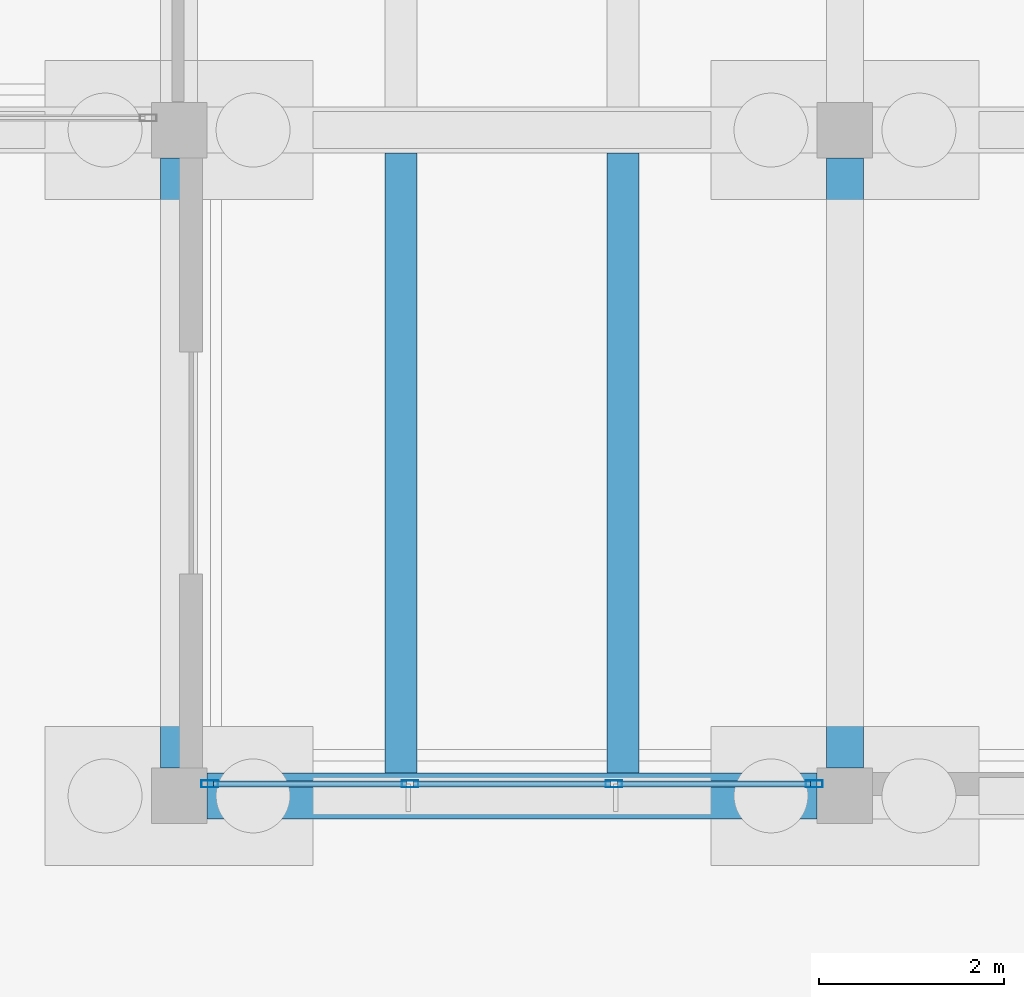
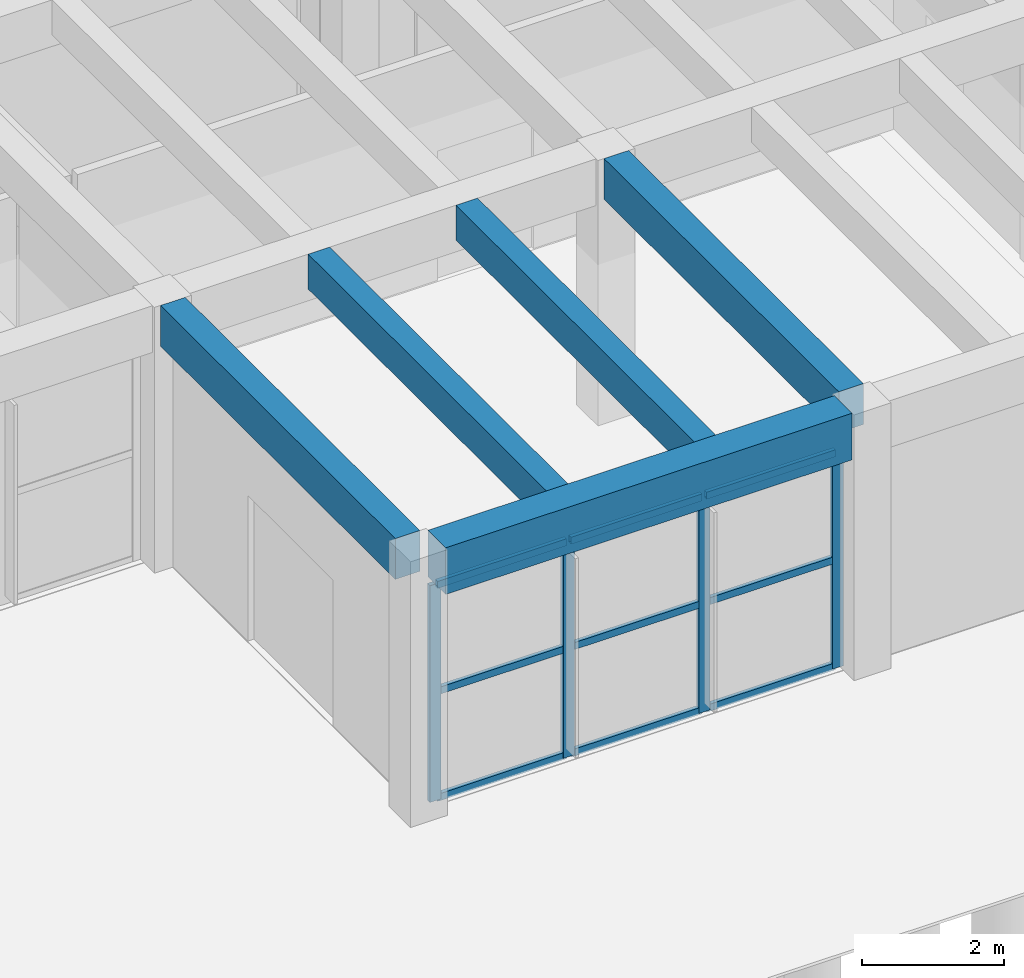
# One storey, part 98 of 155: 13 members, 5 beams, 1 element without a shape of its own.
"""IFC4 building model written with IfcOpenShell, lengths in metres."""

from ifc_helpers import new_model, si_unit, direction, frame, origin, origin_2d, place, context, subcontext, project, spatial, rectangle, hollow_rectangle, extrude, material, material_profile, profile_set, type_object, element, aggregate, save


model = new_model("IFC4")

# Units and contexts
model_context = context("Model", 3, precision=1e-05, world=origin(), true_north=direction((0.0, 1.0)))
body_context = subcontext(model_context, "Body", "Model", "MODEL_VIEW")
ifc_project = project(units=[si_unit("LENGTHUNIT", "METRE"), si_unit("AREAUNIT", "SQUARE_METRE"), si_unit("VOLUMEUNIT", "CUBIC_METRE"), si_unit("PLANEANGLEUNIT", "RADIAN"), si_unit("MASSUNIT", "GRAM", prefix="KILO")], contexts=[model_context])

# Site, building, storey
site_placement = place(None, origin())
site = spatial("IfcSite", under=ifc_project, at=site_placement, CompositionType="ELEMENT")
building_placement = place(site_placement, origin())
building = spatial("IfcBuilding", under=site, at=building_placement, Name="Bramvelor Terrace Health Centre", CompositionType="ELEMENT")
storey_placement = place(building_placement, origin())
storey = spatial("IfcBuildingStorey", under=building, at=storey_placement, Name="L01", CompositionType="ELEMENT", Elevation=0.0)

# Beams
ifc_material_1 = material(Name="Concrete C40/50", Category="concrete")
ifc_material_profile_1 = material_profile(ifc_material_1, rectangle(XDim=0.39990234375, YDim=0.699951171875, at=origin_2d()), Name="RC 400x700")
ifc_profile_set_1 = profile_set([ifc_material_profile_1], Name="Concrete C40/50")
beam_type_1 = type_object("IfcBeamType", Name="BM-RC-G700", PredefinedType="BEAM", material=ifc_profile_set_1)
for number, where, z_axis, x_axis, name in (
    (1, (151.199951171875, 43.5, 4.2099609375), (0.0, 1.0, 0.0), (-1.0, 0.0, 0.0), "L01 Floor Girder"),
    (2, (158.39990234375, 43.5, 4.2099609375), (0.0, 1.0, 0.0), (-1.0, 0.0, 0.0), "L01 Floor Girder"),
):
    element("IfcBeam", number, at=place(storey_placement, frame(where, z_axis=z_axis, x_axis=x_axis)), inside=storey, type_object=beam_type_1, Name=name, PredefinedType="BEAM", context=body_context, shape_type="SweptSolid", body=[
        extrude(rectangle(XDim=0.39990234375, YDim=0.699951171875, at=origin_2d()), origin(), (0.0, 0.0, 1.0), 6.60009765625),
    ])
ifc_material_2 = material(Name="Concrete C40/50", Category="concrete")
ifc_material_profile_2 = material_profile(ifc_material_2, rectangle(XDim=0.5, YDim=0.800048828125, at=origin_2d()), Name="RC 500x800")
ifc_profile_set_2 = profile_set([ifc_material_profile_2], Name="Concrete C40/50")
beam_type_2 = type_object("IfcBeamType", Name="BM-RC-G800", PredefinedType="BEAM", material=ifc_profile_set_2)
beam_placement = place(storey_placement, frame((151.5, 43.199951171875, 4.159912109375), z_axis=(1.0, 0.0, 0.0), x_axis=(0.0, 1.0, 0.0)))
element("IfcBeam", 3, at=beam_placement, inside=storey, type_object=beam_type_2, Name="L01 Floor Girder", PredefinedType="BEAM", context=body_context, shape_type="SweptSolid", body=[
    extrude(rectangle(XDim=0.5, YDim=0.800048828125, at=origin_2d()), origin(), (0.0, 0.0, 1.0), 6.60009765625),
])
ifc_material_3 = material(Name="Concrete C40/50", Category="concrete")
ifc_material_profile_3 = material_profile(ifc_material_3, rectangle(XDim=0.35009765625, YDim=0.60009765625, at=origin_2d()), Name="RC 350x600")
ifc_profile_set_3 = profile_set([ifc_material_profile_3], Name="Concrete C40/50")
beam_type_3 = type_object("IfcBeamType", Name="BM-RC-J600", PredefinedType="JOIST", material=ifc_profile_set_3)
for number, where, z_axis, x_axis, name in (
    (4, (153.60009765625, 43.449951171875, 4.260009765625), (0.0, 1.0, 0.0), (-1.0, 0.0, 0.0), "L01 Secondary Floor Joist"),
    (5, (156.0, 43.449951171875, 4.260009765625), (0.0, 1.0, 0.0), (-1.0, 0.0, 0.0), "L01 Secondary Floor Joist"),
):
    element("IfcBeam", number, at=place(storey_placement, frame(where, z_axis=z_axis, x_axis=x_axis)), inside=storey, type_object=beam_type_3, Name=name, PredefinedType="JOIST", context=body_context, shape_type="SweptSolid", body=[
        extrude(rectangle(XDim=0.35009765625, YDim=0.60009765625, at=origin_2d()), origin(), (0.0, 0.0, 1.0), 6.699951171875),
    ])

# Curtain wall, members
ifc_material_4 = material(Name="Anodized aluminium and double low-E glass", Category="aluminium")
curtain_wall_type = type_object("IfcCurtainWallType", Name="CW-SYS-02", PredefinedType="NOTDEFINED", material=ifc_material_4)
curtain_wall_placement = place(storey_placement, origin())
curtain_wall = element("IfcCurtainWall", 6, at=curtain_wall_placement, inside=storey, type_object=curtain_wall_type, Name="L01 Unitized Curtain Wall 41", PredefinedType="NOTDEFINED")
ifc_material_5 = material(Name="Anodized aluminium 6063-T6", Category="aluminium")
ifc_material_profile_4 = material_profile(ifc_material_5, hollow_rectangle(XDim=0.074951171875, YDim=0.179931640625, WallThickness=0.00341796875, at=origin_2d()), Name="ALU-MUL 75x180x3.5")
ifc_profile_set_4 = profile_set([ifc_material_profile_4], Name="Anodized aluminium 6063-T6")
member_type_1 = type_object("IfcMemberType", Name="CW-MUL-65x180", PredefinedType="MULLION", material=ifc_profile_set_4)
member_1_placement = place(storey_placement, frame((158.0673828125, 43.330078125, 0.0), z_axis=(0.0, 0.0, 1.0), x_axis=(0.0, -1.0, 0.0)))
member_1 = element("IfcMember", 7, at=member_1_placement, type_object=member_type_1, Name="CW-02 mullion 1", PredefinedType="MULLION", context=body_context, shape_type="SweptSolid", body=[
    extrude(hollow_rectangle(XDim=0.074951171875, YDim=0.179931640625, WallThickness=0.00341796875, at=origin_2d()), origin(), (0.0, 0.0, 1.0), 3.719970703125),
])
member_2_placement = place(storey_placement, frame((155.901611328125, 43.330078125, 0.0), z_axis=(0.0, 0.0, 1.0), x_axis=(0.0, -1.0, 0.0)))
member_2 = element("IfcMember", 8, at=member_2_placement, type_object=member_type_1, Name="CW-02 mullion 2", PredefinedType="MULLION", context=body_context, shape_type="SweptSolid", body=[
    extrude(hollow_rectangle(XDim=0.074951171875, YDim=0.179931640625, WallThickness=0.00341796875, at=origin_2d()), origin(), (0.0, 0.0, 1.0), 3.719970703125),
])
member_3_placement = place(storey_placement, frame((153.6982421875, 43.330078125, 0.0), z_axis=(0.0, 0.0, 1.0), x_axis=(0.0, -1.0, 0.0)))
member_3 = element("IfcMember", 9, at=member_3_placement, type_object=member_type_1, Name="CW-02 mullion 3", PredefinedType="MULLION", context=body_context, shape_type="SweptSolid", body=[
    extrude(hollow_rectangle(XDim=0.074951171875, YDim=0.179931640625, WallThickness=0.00341796875, at=origin_2d()), origin(), (0.0, 0.0, 1.0), 3.719970703125),
])
member_4_placement = place(storey_placement, frame((151.532470703125, 43.330078125, 0.0), z_axis=(0.0, 0.0, 1.0), x_axis=(0.0, -1.0, 0.0)))
member_4 = element("IfcMember", 10, at=member_4_placement, type_object=member_type_1, Name="CW-02 mullion 4", PredefinedType="MULLION", context=body_context, shape_type="SweptSolid", body=[
    extrude(hollow_rectangle(XDim=0.074951171875, YDim=0.179931640625, WallThickness=0.00341796875, at=origin_2d()), origin(), (0.0, 0.0, 1.0), 3.719970703125),
])
ifc_material_6 = material(Name="Anodized aluminium 6063-T6", Category="aluminium")
ifc_material_profile_5 = material_profile(ifc_material_6, hollow_rectangle(XDim=0.06494140625, YDim=0.1201171875, WallThickness=0.0029296875, at=origin_2d()), Name="ALU-TRN 65x120x3.0")
ifc_profile_set_5 = profile_set([ifc_material_profile_5], Name="Anodized aluminium 6063-T6")
member_type_2 = type_object("IfcMemberType", Name="CW-TRN-65x150", PredefinedType="USERDEFINED", material=ifc_profile_set_5)
member_5_placement = place(storey_placement, frame((158.030029296875, 43.330078125, 0.032470703125), z_axis=(-1.0, 0.0, 0.0), x_axis=(0.0, -1.0, 0.0)))
member_5 = element("IfcMember", 11, at=member_5_placement, type_object=member_type_2, Name="CW-02 transom 1.1", ObjectType="TRANSOM", PredefinedType="USERDEFINED", context=body_context, shape_type="SweptSolid", body=[
    extrude(hollow_rectangle(XDim=0.06494140625, YDim=0.1201171875, WallThickness=0.0029296875, at=origin_2d()), origin(), (0.0, 0.0, 1.0), 2.0908203125),
])
member_6_placement = place(storey_placement, frame((158.030029296875, 43.330078125, 1.860107421875), z_axis=(-1.0, 0.0, 0.0), x_axis=(0.0, -1.0, 0.0)))
member_6 = element("IfcMember", 12, at=member_6_placement, type_object=member_type_2, Name="CW-02 transom 1.2", ObjectType="TRANSOM", PredefinedType="USERDEFINED", context=body_context, shape_type="SweptSolid", body=[
    extrude(hollow_rectangle(XDim=0.06494140625, YDim=0.1201171875, WallThickness=0.0029296875, at=origin_2d()), origin(), (0.0, 0.0, 1.0), 2.0908203125),
])
member_7_placement = place(storey_placement, frame((158.030029296875, 43.330078125, 3.6875), z_axis=(-1.0, 0.0, 0.0), x_axis=(0.0, -1.0, 0.0)))
member_7 = element("IfcMember", 13, at=member_7_placement, type_object=member_type_2, Name="CW-02 transom 1.3", ObjectType="TRANSOM", PredefinedType="USERDEFINED", context=body_context, shape_type="SweptSolid", body=[
    extrude(hollow_rectangle(XDim=0.06494140625, YDim=0.1201171875, WallThickness=0.0029296875, at=origin_2d()), origin(), (0.0, 0.0, 1.0), 2.0908203125),
])
member_8_placement = place(storey_placement, frame((155.8642578125, 43.330078125, 0.032470703125), z_axis=(-1.0, 0.0, 0.0), x_axis=(0.0, -1.0, 0.0)))
member_8 = element("IfcMember", 14, at=member_8_placement, type_object=member_type_2, Name="CW-02 transom 2.1", ObjectType="TRANSOM", PredefinedType="USERDEFINED", context=body_context, shape_type="SweptSolid", body=[
    extrude(hollow_rectangle(XDim=0.06494140625, YDim=0.1201171875, WallThickness=0.0029296875, at=origin_2d()), origin(), (0.0, 0.0, 1.0), 2.12841796875),
])
member_9_placement = place(storey_placement, frame((155.8642578125, 43.330078125, 1.860107421875), z_axis=(-1.0, 0.0, 0.0), x_axis=(0.0, -1.0, 0.0)))
member_9 = element("IfcMember", 15, at=member_9_placement, type_object=member_type_2, Name="CW-02 transom 2.2", ObjectType="TRANSOM", PredefinedType="USERDEFINED", context=body_context, shape_type="SweptSolid", body=[
    extrude(hollow_rectangle(XDim=0.06494140625, YDim=0.1201171875, WallThickness=0.0029296875, at=origin_2d()), origin(), (0.0, 0.0, 1.0), 2.12841796875),
])
member_10_placement = place(storey_placement, frame((155.8642578125, 43.330078125, 3.6875), z_axis=(-1.0, 0.0, 0.0), x_axis=(0.0, -1.0, 0.0)))
member_10 = element("IfcMember", 16, at=member_10_placement, type_object=member_type_2, Name="CW-02 transom 2.3", ObjectType="TRANSOM", PredefinedType="USERDEFINED", context=body_context, shape_type="SweptSolid", body=[
    extrude(hollow_rectangle(XDim=0.06494140625, YDim=0.1201171875, WallThickness=0.0029296875, at=origin_2d()), origin(), (0.0, 0.0, 1.0), 2.12841796875),
])
member_11_placement = place(storey_placement, frame((153.660888671875, 43.330078125, 0.032470703125), z_axis=(-1.0, 0.0, 0.0), x_axis=(0.0, -1.0, 0.0)))
member_11 = element("IfcMember", 17, at=member_11_placement, type_object=member_type_2, Name="CW-02 transom 3.1", ObjectType="TRANSOM", PredefinedType="USERDEFINED", context=body_context, shape_type="SweptSolid", body=[
    extrude(hollow_rectangle(XDim=0.06494140625, YDim=0.1201171875, WallThickness=0.0029296875, at=origin_2d()), origin(), (0.0, 0.0, 1.0), 2.0908203125),
])
member_12_placement = place(storey_placement, frame((153.660888671875, 43.330078125, 1.860107421875), z_axis=(-1.0, 0.0, 0.0), x_axis=(0.0, -1.0, 0.0)))
member_12 = element("IfcMember", 18, at=member_12_placement, type_object=member_type_2, Name="CW-02 transom 3.2", ObjectType="TRANSOM", PredefinedType="USERDEFINED", context=body_context, shape_type="SweptSolid", body=[
    extrude(hollow_rectangle(XDim=0.06494140625, YDim=0.1201171875, WallThickness=0.0029296875, at=origin_2d()), origin(), (0.0, 0.0, 1.0), 2.0908203125),
])
member_13_placement = place(storey_placement, frame((153.660888671875, 43.330078125, 3.6875), z_axis=(-1.0, 0.0, 0.0), x_axis=(0.0, -1.0, 0.0)))
member_13 = element("IfcMember", 19, at=member_13_placement, type_object=member_type_2, Name="CW-02 transom 3.3", ObjectType="TRANSOM", PredefinedType="USERDEFINED", context=body_context, shape_type="SweptSolid", body=[
    extrude(hollow_rectangle(XDim=0.06494140625, YDim=0.1201171875, WallThickness=0.0029296875, at=origin_2d()), origin(), (0.0, 0.0, 1.0), 2.0908203125),
])
aggregate(curtain_wall, [member_1, member_2, member_3, member_4, member_5, member_6, member_7, member_8, member_9, member_10, member_11, member_12, member_13])

save(model, "model.ifc")
